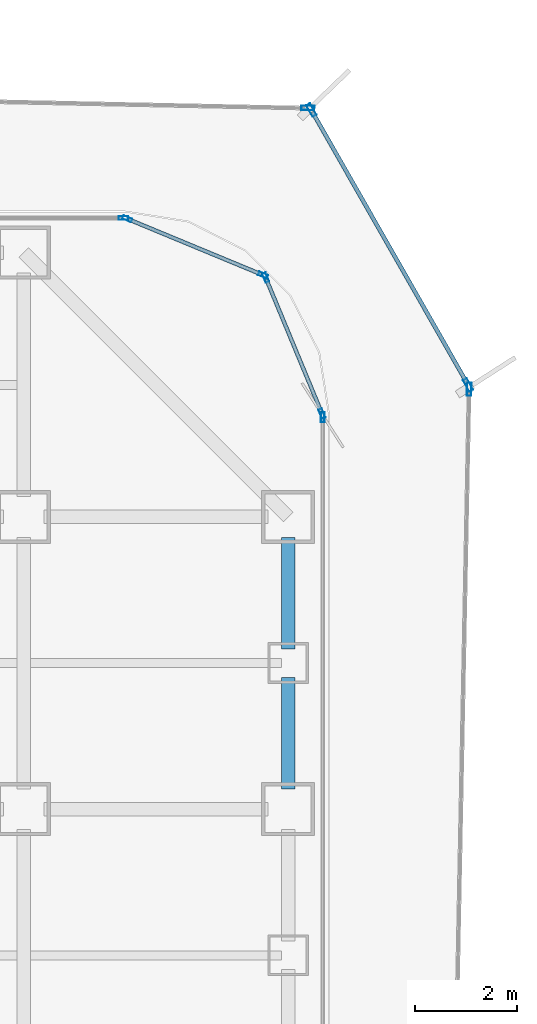
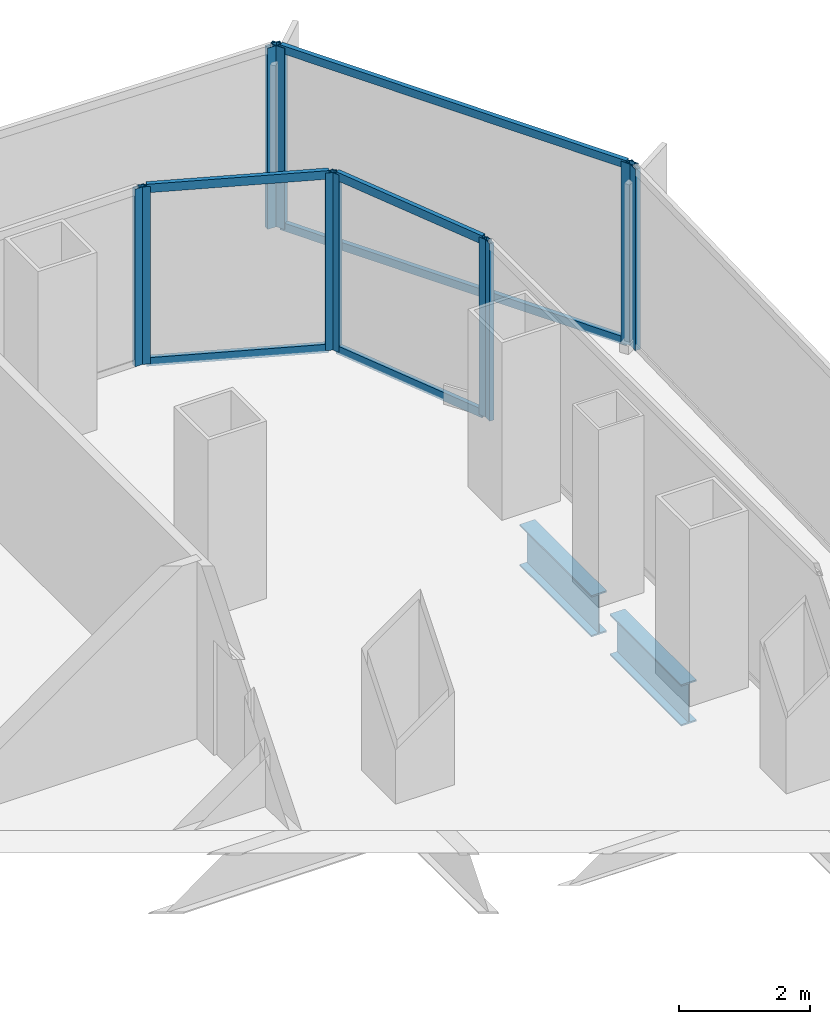
# One storey, part 15 of 21: 16 members, 2 beams, 7 elements without a shape of their own.
"""IFC4 building model written with IfcOpenShell, lengths in metres."""

from ifc_helpers import new_model, si_unit, direction, frame, origin, origin_2d, place, context, subcontext, project, spatial, hollow_rectangle, i_section, extrude, source, transform, mapped, material, layer, layer_set, material_profile, profile_set, type_object, element, aggregate, save


model = new_model("IFC4")

# Units and contexts
model_context = context("Model", 3, precision=1e-05, world=origin(), true_north=direction((0.0, 1.0)))
body_context = subcontext(model_context, "Body", "Model", "MODEL_VIEW")
ifc_project = project(units=[si_unit("LENGTHUNIT", "METRE"), si_unit("AREAUNIT", "SQUARE_METRE"), si_unit("VOLUMEUNIT", "CUBIC_METRE"), si_unit("PLANEANGLEUNIT", "RADIAN"), si_unit("MASSUNIT", "GRAM", prefix="KILO")], contexts=[model_context])

# Site, building, storey
site_placement = place(None, origin())
site = spatial("IfcSite", under=ifc_project, at=site_placement, CompositionType="ELEMENT")
building_placement = place(site_placement, origin())
building = spatial("IfcBuilding", under=site, at=building_placement, Name="Kolveth Station Tower", CompositionType="ELEMENT")
storey_placement = place(building_placement, frame((0.0, 0.0, 26.10009765625)))
storey = spatial("IfcBuildingStorey", under=building, at=storey_placement, Name="L06", CompositionType="ELEMENT", Elevation=26.10009765625)

# Beams
ifc_material_1 = material(Name="Steel S355", Category="steel")
ifc_material_profile_1 = material_profile(ifc_material_1, i_section(OverallWidth=0.26904296875, OverallDepth=0.77490234375, WebThickness=0.01708984375, FlangeThickness=0.0283203125, at=origin_2d()), Name="W760x220")
ifc_profile_set_1 = profile_set([ifc_material_profile_1], Name="Steel S355")
beam_type = type_object("IfcBeamType", Name="Beam_SP1", PredefinedType="SPANDREL", material=ifc_profile_set_1)
shared_shape_1 = source(origin(), body_context, "Body", "SweptSolid", [
    extrude(i_section(OverallWidth=0.26904296875, OverallDepth=0.77490234375, WebThickness=0.01708984375, FlangeThickness=0.0283203125, at=origin_2d()), origin(), (0.0, 0.0, 1.0), 2.2001953125),
])
beam_1_placement = place(storey_placement, frame((46.199951171875, 31.89990234375, -0.66748046875), z_axis=(0.0, 1.0, 0.0), x_axis=(-1.0, 0.0, 0.0)))
element("IfcBeam", 1, at=beam_1_placement, inside=storey, type_object=beam_type, Name="L06 Perimeter Spandrel BM-L06-PE-10", PredefinedType="SPANDREL", context=body_context, shape_type="MappedRepresentation", body=[
    mapped(shared_shape_1, transform((0.0, 0.0, 0.0), x_axis=(1.0, 0.0, 0.0), y_axis=(0.0, 1.0, 0.0), z_axis=(0.0, 0.0, 1.0), scale=1.0)),
])
shared_shape_2 = source(origin(), body_context, "Body", "SweptSolid", [
    extrude(i_section(OverallWidth=0.26904296875, OverallDepth=0.77490234375, WebThickness=0.01708984375, FlangeThickness=0.0283203125, at=origin_2d()), origin(), (0.0, 0.0, 1.0), 2.190185546875),
])
beam_2_placement = place(storey_placement, frame((46.199951171875, 29.14990234375, -0.66748046875), z_axis=(0.0, 1.0, 0.0), x_axis=(-1.0, 0.0, 0.0)))
element("IfcBeam", 2, at=beam_2_placement, inside=storey, type_object=beam_type, Name="L06 Perimeter Spandrel BM-L06-PE-9", PredefinedType="SPANDREL", context=body_context, shape_type="MappedRepresentation", body=[
    mapped(shared_shape_2, transform((0.0, 0.0, 0.0), x_axis=(1.0, 0.0, 0.0), y_axis=(0.0, 1.0, 0.0), z_axis=(0.0, 0.0, 1.0), scale=1.0)),
])

# Curtain wall, members
ifc_material_2 = material(Name="Aluminium 6063-T6 and low-E dark glass", Category="aluminium")
ifc_layer_1 = layer(ifc_material_2, 0.179931640625)
ifc_layer_set_1 = layer_set([ifc_layer_1], Name="Aluminium 6063-T6 and low-E dark glass")
curtain_wall_type_1 = type_object("IfcCurtainWallType", Name="CurtainWall_CW-Z1", PredefinedType="NOTDEFINED", material=ifc_layer_set_1)
curtain_wall_1_placement = place(storey_placement, origin())
curtain_wall_1 = element("IfcCurtainWall", 3, at=curtain_wall_1_placement, inside=storey, type_object=curtain_wall_type_1, Name="L06 Inner Thermal Curtain Wall 4", PredefinedType="NOTDEFINED")
ifc_material_3 = material(Name="Black anodized aluminium 6063-T6", Category="aluminium")
ifc_material_profile_2 = material_profile(ifc_material_3, hollow_rectangle(XDim=0.074951171875, YDim=0.159912109375, WallThickness=0.0048828125, at=origin_2d()), Name="ALU-75x160x5")
ifc_profile_set_2 = profile_set([ifc_material_profile_2], Name="Black anodized aluminium 6063-T6")
member_type_1 = type_object("IfcMemberType", Name="Transom_TR1", PredefinedType="USERDEFINED", material=ifc_profile_set_2)
shared_shape_3 = source(origin(), body_context, "Body", "SweptSolid", [
    extrude(hollow_rectangle(XDim=0.074951171875, YDim=0.159912109375, WallThickness=0.0048828125, at=origin_2d()), origin(), (0.0, 0.0, 1.0), 2.819580078125),
])
member_1_placement = place(storey_placement, frame((46.851318359375, 36.5693359375, 0.037353515625), z_axis=(-0.382708655389, 0.923869084389, 0.0), x_axis=(-0.923869084389, -0.382708655389, 0.0)))
member_1 = element("IfcMember", 4, at=member_1_placement, type_object=member_type_1, Name="CW-Z1 transom 1.1", ObjectType="TRANSOM", PredefinedType="USERDEFINED", context=body_context, shape_type="MappedRepresentation", body=[
    mapped(shared_shape_3, transform((0.0, 0.0, 0.0), x_axis=(1.0, 0.0, 0.0), y_axis=(0.0, 1.0, 0.0), z_axis=(0.0, 0.0, 1.0), scale=1.0)),
])
member_2_placement = place(storey_placement, frame((46.851318359375, 36.5693359375, 3.282470703125), z_axis=(-0.382708655389, 0.923869084389, 0.0), x_axis=(-0.923869084389, -0.382708655389, 0.0)))
member_2 = element("IfcMember", 5, at=member_2_placement, type_object=member_type_1, Name="CW-Z1 transom 1.2", ObjectType="TRANSOM", PredefinedType="USERDEFINED", context=body_context, shape_type="MappedRepresentation", body=[
    mapped(shared_shape_3, transform((0.0, 0.0, 0.0), x_axis=(1.0, 0.0, 0.0), y_axis=(0.0, 1.0, 0.0), z_axis=(0.0, 0.0, 1.0), scale=1.0)),
])

curtain_wall_2_placement = place(storey_placement, origin())
curtain_wall_2 = element("IfcCurtainWall", 6, at=curtain_wall_2_placement, inside=storey, type_object=curtain_wall_type_1, Name="L06 Inner Thermal Curtain Wall 5", PredefinedType="NOTDEFINED")
member_3_placement = place(storey_placement, frame((45.67431640625, 39.272216796875, 0.037353515625), z_axis=(-0.923869084389, 0.382708655389, 0.0), x_axis=(-0.382708655389, -0.923869084389, 0.0)))
member_3 = element("IfcMember", 7, at=member_3_placement, type_object=member_type_1, Name="CW-Z1 transom 1.1", ObjectType="TRANSOM", PredefinedType="USERDEFINED", context=body_context, shape_type="MappedRepresentation", body=[
    mapped(shared_shape_3, transform((0.0, 0.0, 0.0), x_axis=(1.0, 0.0, 0.0), y_axis=(0.0, 1.0, 0.0), z_axis=(0.0, 0.0, 1.0), scale=1.0)),
])
member_4_placement = place(storey_placement, frame((45.67431640625, 39.272216796875, 3.282470703125), z_axis=(-0.923869084389, 0.382708655389, 0.0), x_axis=(-0.382708655389, -0.923869084389, 0.0)))
member_4 = element("IfcMember", 8, at=member_4_placement, type_object=member_type_1, Name="CW-Z1 transom 1.2", ObjectType="TRANSOM", PredefinedType="USERDEFINED", context=body_context, shape_type="MappedRepresentation", body=[
    mapped(shared_shape_3, transform((0.0, 0.0, 0.0), x_axis=(1.0, 0.0, 0.0), y_axis=(0.0, 1.0, 0.0), z_axis=(0.0, 0.0, 1.0), scale=1.0)),
])

# Curtain wall, member
ifc_material_4 = material(Name="Black anodized aluminium 6063-T6 and dark solar glass", Category="aluminium")
ifc_layer_2 = layer(ifc_material_4, 0.159912109375)
ifc_layer_set_2 = layer_set([ifc_layer_2], Name="Black anodized aluminium 6063-T6 and dark solar glass")
curtain_wall_type_2 = type_object("IfcCurtainWallType", Name="OUTER SKIN CW-OS", PredefinedType="NOTDEFINED", material=ifc_layer_set_2)
curtain_wall_3_placement = place(storey_placement, origin())
curtain_wall_3 = element("IfcCurtainWall", 9, at=curtain_wall_3_placement, inside=storey, type_object=curtain_wall_type_2, Name="L06 Outer Ventilated Skin Curtain Wall 2", PredefinedType="NOTDEFINED")
ifc_material_profile_3 = material_profile(ifc_material_3, hollow_rectangle(XDim=0.090087890625, YDim=0.260009765625, WallThickness=0.0048828125, at=origin_2d()), Name="ALU-90x260x5")
ifc_profile_set_3 = profile_set([ifc_material_profile_3], Name="Black anodized aluminium 6063-T6")
member_type_2 = type_object("IfcMemberType", Name="FIN MULLION ML-OS", PredefinedType="MULLION", material=ifc_profile_set_3)
shared_shape_4 = source(origin(), body_context, "Body", "SweptSolid", [
    extrude(hollow_rectangle(XDim=0.090087890625, YDim=0.260009765625, WallThickness=0.0048828125, at=origin_2d()), origin(), (0.0, 0.0, 1.0), 3.389892578125),
])
member_5_placement = place(storey_placement, frame((49.763916015625, 37.01171875, 0.0), z_axis=(0.0, 0.0, 1.0), x_axis=(-0.999810466058, 0.01946874317, 0.0)))
member_5 = element("IfcMember", 10, at=member_5_placement, type_object=member_type_2, Name="CW-OS mullion 2", PredefinedType="MULLION", context=body_context, shape_type="MappedRepresentation", body=[
    mapped(shared_shape_4, transform((0.0, 0.0, 0.0), x_axis=(1.0, 0.0, 0.0), y_axis=(0.0, 1.0, 0.0), z_axis=(0.0, 0.0, 1.0), scale=1.0)),
])
aggregate(curtain_wall_3, [member_5])

# Curtain wall, members
curtain_wall_4_placement = place(storey_placement, origin())
curtain_wall_4 = element("IfcCurtainWall", 11, at=curtain_wall_4_placement, inside=storey, type_object=curtain_wall_type_2, Name="L06 Outer Ventilated Skin Curtain Wall 3", PredefinedType="NOTDEFINED")
member_6_placement = place(storey_placement, frame((49.742431640625, 37.095703125, 0.0), z_axis=(0.0, 0.0, 1.0), x_axis=(-0.868635345256, -0.495451952234, 0.0)))
member_6 = element("IfcMember", 12, at=member_6_placement, type_object=member_type_2, Name="CW-OS mullion 1", PredefinedType="MULLION", context=body_context, shape_type="MappedRepresentation", body=[
    mapped(shared_shape_4, transform((0.0, 0.0, 0.0), x_axis=(1.0, 0.0, 0.0), y_axis=(0.0, 1.0, 0.0), z_axis=(0.0, 0.0, 1.0), scale=1.0)),
])
member_7_placement = place(storey_placement, frame((46.65625, 42.50634765625, 0.0), z_axis=(0.0, 0.0, 1.0), x_axis=(-0.868635345256, -0.495451952234, 0.0)))
member_7 = element("IfcMember", 13, at=member_7_placement, type_object=member_type_2, Name="CW-OS mullion 2", PredefinedType="MULLION", context=body_context, shape_type="MappedRepresentation", body=[
    mapped(shared_shape_4, transform((0.0, 0.0, 0.0), x_axis=(1.0, 0.0, 0.0), y_axis=(0.0, 1.0, 0.0), z_axis=(0.0, 0.0, 1.0), scale=1.0)),
])

# Curtain wall, member
curtain_wall_5_placement = place(storey_placement, origin())
curtain_wall_5 = element("IfcCurtainWall", 14, at=curtain_wall_5_placement, inside=storey, type_object=curtain_wall_type_2, Name="L06 Outer Ventilated Skin Curtain Wall 4", PredefinedType="NOTDEFINED")
member_8_placement = place(storey_placement, frame((46.589111328125, 42.54638671875, 0.0), z_axis=(0.0, 0.0, 1.0), x_axis=(-0.020575293939, -0.999788306233, 0.0)))
member_8 = element("IfcMember", 15, at=member_8_placement, type_object=member_type_2, Name="CW-OS mullion 1", PredefinedType="MULLION", context=body_context, shape_type="MappedRepresentation", body=[
    mapped(shared_shape_4, transform((0.0, 0.0, 0.0), x_axis=(1.0, 0.0, 0.0), y_axis=(0.0, 1.0, 0.0), z_axis=(0.0, 0.0, 1.0), scale=1.0)),
])
aggregate(curtain_wall_5, [member_8])

curtain_wall_6_placement = place(storey_placement, origin())
curtain_wall_6 = element("IfcCurtainWall", 16, at=curtain_wall_6_placement, inside=storey, type_object=curtain_wall_type_1, Name="L06 Inner Thermal Curtain Wall 3", PredefinedType="NOTDEFINED")
ifc_material_profile_4 = material_profile(ifc_material_3, hollow_rectangle(XDim=0.074951171875, YDim=0.18994140625, WallThickness=0.0048828125, at=origin_2d()), Name="ALU-75x190x5")
ifc_profile_set_4 = profile_set([ifc_material_profile_4], Name="Black anodized aluminium 6063-T6")
member_type_3 = type_object("IfcMemberType", Name="Mullion_ML1", PredefinedType="MULLION", material=ifc_profile_set_4)
shared_shape_5 = source(origin(), body_context, "Body", "SweptSolid", [
    extrude(hollow_rectangle(XDim=0.074951171875, YDim=0.18994140625, WallThickness=0.0048828125, at=origin_2d()), origin(), (0.0, 0.0, 1.0), 3.31982421875),
])
member_9_placement = place(storey_placement, frame((46.8798828125, 36.46240234375, 0.0), z_axis=(0.0, 0.0, 1.0), x_axis=(-1.0, 0.0, 0.0)))
member_9 = element("IfcMember", 17, at=member_9_placement, type_object=member_type_3, Name="CW-Z1 mullion 2", PredefinedType="MULLION", context=body_context, shape_type="MappedRepresentation", body=[
    mapped(shared_shape_5, transform((0.0, 0.0, 0.0), x_axis=(1.0, 0.0, 0.0), y_axis=(0.0, 1.0, 0.0), z_axis=(0.0, 0.0, 1.0), scale=1.0)),
])
aggregate(curtain_wall_6, [member_9])

# Member
member_10_placement = place(storey_placement, frame((46.86572265625, 36.53466796875, 0.0), z_axis=(0.0, 0.0, 1.0), x_axis=(-0.923883857728, -0.382672990201, 0.0)))
member_10 = element("IfcMember", 18, at=member_10_placement, type_object=member_type_3, Name="CW-Z1 mullion 1", PredefinedType="MULLION", context=body_context, shape_type="MappedRepresentation", body=[
    mapped(shared_shape_5, transform((0.0, 0.0, 0.0), x_axis=(1.0, 0.0, 0.0), y_axis=(0.0, 1.0, 0.0), z_axis=(0.0, 0.0, 1.0), scale=1.0)),
])

member_11_placement = place(storey_placement, frame((45.758056640625, 39.208984375, 0.0), z_axis=(0.0, 0.0, 1.0), x_axis=(-0.923883857728, -0.382672990201, 0.0)))
member_11 = element("IfcMember", 19, at=member_11_placement, type_object=member_type_3, Name="CW-Z1 mullion 2", PredefinedType="MULLION", context=body_context, shape_type="MappedRepresentation", body=[
    mapped(shared_shape_5, transform((0.0, 0.0, 0.0), x_axis=(1.0, 0.0, 0.0), y_axis=(0.0, 1.0, 0.0), z_axis=(0.0, 0.0, 1.0), scale=1.0)),
])

aggregate(curtain_wall_1, [member_10, member_11, member_1, member_2])

member_12_placement = place(storey_placement, frame((45.708984375, 39.258056640625, 0.0), z_axis=(0.0, 0.0, 1.0), x_axis=(-0.382672990201, -0.923883857728, 0.0)))
member_12 = element("IfcMember", 20, at=member_12_placement, type_object=member_type_3, Name="CW-Z1 mullion 1", PredefinedType="MULLION", context=body_context, shape_type="MappedRepresentation", body=[
    mapped(shared_shape_5, transform((0.0, 0.0, 0.0), x_axis=(1.0, 0.0, 0.0), y_axis=(0.0, 1.0, 0.0), z_axis=(0.0, 0.0, 1.0), scale=1.0)),
])

member_13_placement = place(storey_placement, frame((43.03466796875, 40.36572265625, 0.0), z_axis=(0.0, 0.0, 1.0), x_axis=(-0.382672990201, -0.923883857728, 0.0)))
member_13 = element("IfcMember", 21, at=member_13_placement, type_object=member_type_3, Name="CW-Z1 mullion 2", PredefinedType="MULLION", context=body_context, shape_type="MappedRepresentation", body=[
    mapped(shared_shape_5, transform((0.0, 0.0, 0.0), x_axis=(1.0, 0.0, 0.0), y_axis=(0.0, 1.0, 0.0), z_axis=(0.0, 0.0, 1.0), scale=1.0)),
])

aggregate(curtain_wall_2, [member_12, member_13, member_3, member_4])

# Curtain wall, member
curtain_wall_7_placement = place(storey_placement, origin())
curtain_wall_7 = element("IfcCurtainWall", 22, at=curtain_wall_7_placement, inside=storey, type_object=curtain_wall_type_1, Name="L06 Inner Thermal Curtain Wall 6", PredefinedType="NOTDEFINED")
member_14_placement = place(storey_placement, frame((42.96240234375, 40.3798828125, 0.0), z_axis=(0.0, 0.0, 1.0), x_axis=(0.0, -1.0, 0.0)))
member_14 = element("IfcMember", 23, at=member_14_placement, type_object=member_type_3, Name="CW-Z1 mullion 1", PredefinedType="MULLION", context=body_context, shape_type="MappedRepresentation", body=[
    mapped(shared_shape_5, transform((0.0, 0.0, 0.0), x_axis=(1.0, 0.0, 0.0), y_axis=(0.0, 1.0, 0.0), z_axis=(0.0, 0.0, 1.0), scale=1.0)),
])
aggregate(curtain_wall_7, [member_14])

# Member
ifc_material_profile_5 = material_profile(ifc_material_3, hollow_rectangle(XDim=0.080078125, YDim=0.14990234375, WallThickness=0.0048828125, at=origin_2d()), Name="ALU-80x150x5")
ifc_profile_set_5 = profile_set([ifc_material_profile_5], Name="Black anodized aluminium 6063-T6")
member_type_4 = type_object("IfcMemberType", Name="Transom_TR-OS", PredefinedType="USERDEFINED", material=ifc_profile_set_5)
shared_shape_6 = source(origin(), body_context, "Body", "SweptSolid", [
    extrude(hollow_rectangle(XDim=0.080078125, YDim=0.14990234375, WallThickness=0.0048828125, at=origin_2d()), origin(), (0.0, 0.0, 1.0), 6.138916015625),
])
member_15_placement = place(storey_placement, frame((49.72021484375, 37.134765625, 0.039794921875), z_axis=(-0.495444959992, 0.868639333451, 0.0), x_axis=(-0.868639333451, -0.495444959992, 0.0)))
member_15 = element("IfcMember", 24, at=member_15_placement, type_object=member_type_4, Name="CW-OS transom 1.1", ObjectType="TRANSOM", PredefinedType="USERDEFINED", context=body_context, shape_type="MappedRepresentation", body=[
    mapped(shared_shape_6, transform((0.0, 0.0, 0.0), x_axis=(1.0, 0.0, 0.0), y_axis=(0.0, 1.0, 0.0), z_axis=(0.0, 0.0, 1.0), scale=1.0)),
])

member_16_placement = place(storey_placement, frame((49.72021484375, 37.134765625, 3.349853515625), z_axis=(-0.495444959992, 0.868639333451, 0.0), x_axis=(-0.868639333451, -0.495444959992, 0.0)))
member_16 = element("IfcMember", 25, at=member_16_placement, type_object=member_type_4, Name="CW-OS transom 1.2", ObjectType="TRANSOM", PredefinedType="USERDEFINED", context=body_context, shape_type="MappedRepresentation", body=[
    mapped(shared_shape_6, transform((0.0, 0.0, 0.0), x_axis=(1.0, 0.0, 0.0), y_axis=(0.0, 1.0, 0.0), z_axis=(0.0, 0.0, 1.0), scale=1.0)),
])

aggregate(curtain_wall_4, [member_6, member_7, member_15, member_16])

save(model, "model.ifc")
